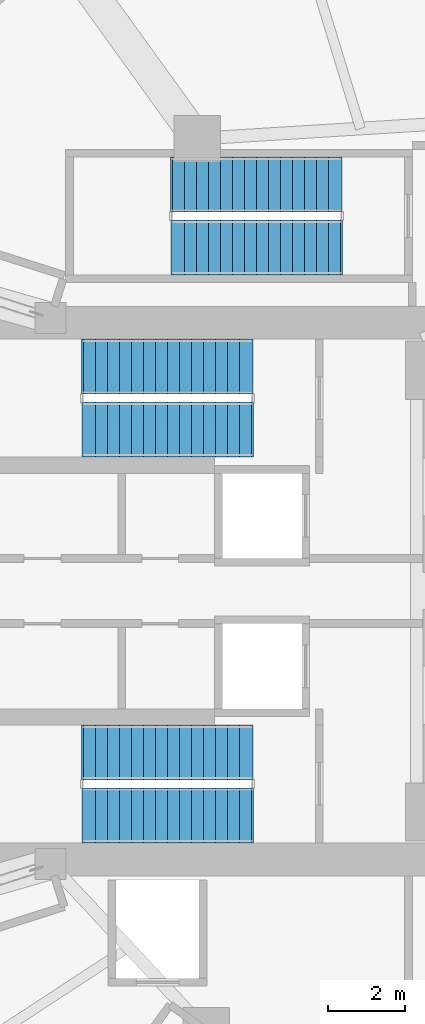
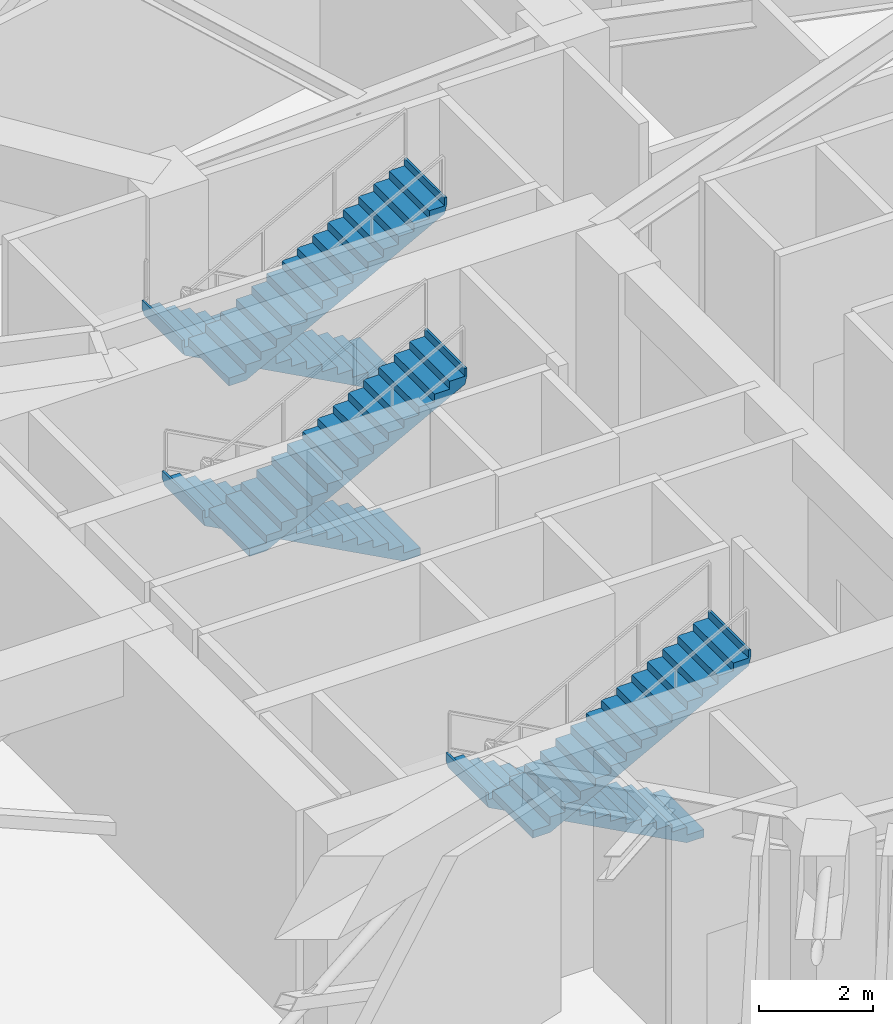
# One storey, part 10 of 12: 6 stair flights, 3 elements without a shape of their own.
"""IFC4 building model written with IfcOpenShell, lengths in metres."""

from ifc_helpers import new_model, si_unit, direction, frame, origin, place, context, subcontext, project, spatial, polyline, outline, extrude, material, type_object, element, aggregate, save


model = new_model("IFC4")

# Units and contexts
model_context = context("Model", 3, precision=1e-05, world=origin(), true_north=direction((0.0, 1.0)))
body_context = subcontext(model_context, "Body", "Model", "MODEL_VIEW")
ifc_project = project(units=[si_unit("LENGTHUNIT", "METRE"), si_unit("AREAUNIT", "SQUARE_METRE"), si_unit("VOLUMEUNIT", "CUBIC_METRE"), si_unit("PLANEANGLEUNIT", "RADIAN"), si_unit("MASSUNIT", "GRAM", prefix="KILO")], contexts=[model_context])

# Site, building, storey
site_placement = place(None, origin())
site = spatial("IfcSite", under=ifc_project, at=site_placement, CompositionType="ELEMENT")
building_placement = place(site_placement, origin())
building = spatial("IfcBuilding", under=site, at=building_placement, Name="Kolvaren Gate Tower and Convention Centre", CompositionType="ELEMENT")
storey_placement = place(building_placement, frame((0.0, 0.0, 95.800048828125)))
storey = spatial("IfcBuildingStorey", under=building, at=storey_placement, Name="L23", CompositionType="ELEMENT", Elevation=95.800048828125)

# Stair, stair flights
ifc_material = material(Name="Concrete C50/60", Category="concrete")
stair_type = type_object("IfcStairType", Name="STR-STAIR-CORE", PredefinedType="HALF_TURN_STAIR", material=ifc_material)
stair_1_placement = place(storey_placement, origin())
stair_1 = element("IfcStair", 1, at=stair_1_placement, inside=storey, type_object=stair_type, Name="L23 Tower North Exit Stair ST-T1", PredefinedType="HALF_TURN_STAIR")
stair_flight_type = type_object("IfcStairFlightType", Name="STR-SFL-1420", PredefinedType="STRAIGHT", material=ifc_material)
stair_flight_1_placement = place(storey_placement, frame((23.10009765625, 32.7900390625, 0.0), z_axis=(0.0, 0.0, 1.0), x_axis=(-1.0, 0.0, 0.0)))
stair_flight_1 = element("IfcStairFlight", 2, at=stair_flight_1_placement, type_object=stair_flight_type, Name="ST-T1 flight 1", NumberOfRisers=15, NumberOfTreads=14, PredefinedType="STRAIGHT", RiserHeight=0.166666667, TreadLength=0.31, context=body_context, shape_type="SweptSolid", body=[
    extrude(outline(polyline([(-0.034912109375, 0.0), (-0.034912109375, 0.166748046875), (0.31005859375, 0.166748046875), (0.31005859375, 0.333251953125), (0.6201171875, 0.333251953125), (0.6201171875, 0.5), (0.929931640625, 0.5), (0.929931640625, 0.666748046875), (1.239990234375, 0.666748046875), (1.239990234375, 0.833251953125), (1.550048828125, 0.833251953125), (1.550048828125, 1.0), (1.860107421875, 1.0), (1.860107421875, 1.166748046875), (2.169921875, 1.166748046875), (2.169921875, 1.333251953125), (2.47998046875, 1.333251953125), (2.47998046875, 1.5), (2.7900390625, 1.5), (2.7900390625, 1.666748046875), (3.10009765625, 1.666748046875), (3.10009765625, 1.833251953125), (3.409912109375, 1.833251953125), (3.409912109375, 2.0), (3.719970703125, 2.0), (3.719970703125, 2.166748046875), (4.030029296875, 2.166748046875), (4.030029296875, 2.333251953125), (4.340087890625, 2.333251953125), (4.340087890625, 2.5), (4.385009765625, 2.5), (4.385009765625, 2.340087890625), (4.340087890625, 2.1630859375), (0.316650390625, 0.0), (-0.034912109375, 0.0)])), frame((0.0, 0.7099609375, 0.0), z_axis=(0.0, -1.0, 0.0), x_axis=(1.0, 0.0, 0.0)), (0.0, 0.0, 1.0), 1.419921875),
])
stair_flight_2_placement = place(storey_placement, frame((18.760009765625, 31.169921875, 2.5), z_axis=(0.0, 0.0, 1.0), x_axis=(1.0, 0.0, 0.0)))
stair_flight_2 = element("IfcStairFlight", 3, at=stair_flight_2_placement, type_object=stair_flight_type, Name="ST-T1 flight 2", NumberOfRisers=15, NumberOfTreads=14, PredefinedType="STRAIGHT", RiserHeight=0.166666667, TreadLength=0.31, context=body_context, shape_type="SweptSolid", body=[
    extrude(outline(polyline([(-0.034912109375, 0.0), (-0.034912109375, 0.166748046875), (0.31005859375, 0.166748046875), (0.31005859375, 0.333251953125), (0.6201171875, 0.333251953125), (0.6201171875, 0.5), (0.929931640625, 0.5), (0.929931640625, 0.666748046875), (1.239990234375, 0.666748046875), (1.239990234375, 0.833251953125), (1.550048828125, 0.833251953125), (1.550048828125, 1.0), (1.860107421875, 1.0), (1.860107421875, 1.166748046875), (2.169921875, 1.166748046875), (2.169921875, 1.333251953125), (2.47998046875, 1.333251953125), (2.47998046875, 1.5), (2.7900390625, 1.5), (2.7900390625, 1.666748046875), (3.10009765625, 1.666748046875), (3.10009765625, 1.833251953125), (3.409912109375, 1.833251953125), (3.409912109375, 2.0), (3.719970703125, 2.0), (3.719970703125, 2.166748046875), (4.030029296875, 2.166748046875), (4.030029296875, 2.333251953125), (4.340087890625, 2.333251953125), (4.340087890625, 2.5), (4.385009765625, 2.5), (4.385009765625, 2.340087890625), (4.340087890625, 2.1630859375), (0.316650390625, 0.0), (-0.034912109375, 0.0)])), frame((0.0, 0.7099609375, 0.0), z_axis=(0.0, -1.0, 0.0), x_axis=(1.0, 0.0, 0.0)), (0.0, 0.0, 1.0), 1.419921875),
])
aggregate(stair_1, [stair_flight_1, stair_flight_2])

stair_2_placement = place(storey_placement, origin())
stair_2 = element("IfcStair", 4, at=stair_2_placement, inside=storey, type_object=stair_type, Name="L23 Tower South Exit Stair ST-T2", PredefinedType="HALF_TURN_STAIR")
stair_flight_3_placement = place(storey_placement, frame((23.10009765625, 22.830078125, 0.0), z_axis=(0.0, 0.0, 1.0), x_axis=(-1.0, 0.0, 0.0)))
stair_flight_3 = element("IfcStairFlight", 5, at=stair_flight_3_placement, type_object=stair_flight_type, Name="ST-T2 flight 1", NumberOfRisers=15, NumberOfTreads=14, PredefinedType="STRAIGHT", RiserHeight=0.166666667, TreadLength=0.31, context=body_context, shape_type="SweptSolid", body=[
    extrude(outline(polyline([(-0.034912109375, 0.0), (-0.034912109375, 0.166748046875), (0.31005859375, 0.166748046875), (0.31005859375, 0.333251953125), (0.6201171875, 0.333251953125), (0.6201171875, 0.5), (0.929931640625, 0.5), (0.929931640625, 0.666748046875), (1.239990234375, 0.666748046875), (1.239990234375, 0.833251953125), (1.550048828125, 0.833251953125), (1.550048828125, 1.0), (1.860107421875, 1.0), (1.860107421875, 1.166748046875), (2.169921875, 1.166748046875), (2.169921875, 1.333251953125), (2.47998046875, 1.333251953125), (2.47998046875, 1.5), (2.7900390625, 1.5), (2.7900390625, 1.666748046875), (3.10009765625, 1.666748046875), (3.10009765625, 1.833251953125), (3.409912109375, 1.833251953125), (3.409912109375, 2.0), (3.719970703125, 2.0), (3.719970703125, 2.166748046875), (4.030029296875, 2.166748046875), (4.030029296875, 2.333251953125), (4.340087890625, 2.333251953125), (4.340087890625, 2.5), (4.385009765625, 2.5), (4.385009765625, 2.340087890625), (4.340087890625, 2.1630859375), (0.316650390625, 0.0), (-0.034912109375, 0.0)])), frame((0.0, 0.7099609375, 0.0), z_axis=(0.0, -1.0, 0.0), x_axis=(1.0, 0.0, 0.0)), (0.0, 0.0, 1.0), 1.419921875),
])
stair_flight_4_placement = place(storey_placement, frame((18.760009765625, 21.2099609375, 2.5), z_axis=(0.0, 0.0, 1.0), x_axis=(1.0, 0.0, 0.0)))
stair_flight_4 = element("IfcStairFlight", 6, at=stair_flight_4_placement, type_object=stair_flight_type, Name="ST-T2 flight 2", NumberOfRisers=15, NumberOfTreads=14, PredefinedType="STRAIGHT", RiserHeight=0.166666667, TreadLength=0.31, context=body_context, shape_type="SweptSolid", body=[
    extrude(outline(polyline([(-0.034912109375, 0.0), (-0.034912109375, 0.166748046875), (0.31005859375, 0.166748046875), (0.31005859375, 0.333251953125), (0.6201171875, 0.333251953125), (0.6201171875, 0.5), (0.929931640625, 0.5), (0.929931640625, 0.666748046875), (1.239990234375, 0.666748046875), (1.239990234375, 0.833251953125), (1.550048828125, 0.833251953125), (1.550048828125, 1.0), (1.860107421875, 1.0), (1.860107421875, 1.166748046875), (2.169921875, 1.166748046875), (2.169921875, 1.333251953125), (2.47998046875, 1.333251953125), (2.47998046875, 1.5), (2.7900390625, 1.5), (2.7900390625, 1.666748046875), (3.10009765625, 1.666748046875), (3.10009765625, 1.833251953125), (3.409912109375, 1.833251953125), (3.409912109375, 2.0), (3.719970703125, 2.0), (3.719970703125, 2.166748046875), (4.030029296875, 2.166748046875), (4.030029296875, 2.333251953125), (4.340087890625, 2.333251953125), (4.340087890625, 2.5), (4.385009765625, 2.5), (4.385009765625, 2.340087890625), (4.340087890625, 2.1630859375), (0.316650390625, 0.0), (-0.034912109375, 0.0)])), frame((0.0, 0.7099609375, 0.0), z_axis=(0.0, -1.0, 0.0), x_axis=(1.0, 0.0, 0.0)), (0.0, 0.0, 1.0), 1.419921875),
])
aggregate(stair_2, [stair_flight_3, stair_flight_4])

stair_3_placement = place(storey_placement, origin())
stair_3 = element("IfcStair", 7, at=stair_3_placement, inside=storey, type_object=stair_type, Name="L23 Tower Mid-Zone Exit Stair ST-T3", PredefinedType="HALF_TURN_STAIR")
stair_flight_5_placement = place(storey_placement, frame((25.39990234375, 37.489990234375, 0.0), z_axis=(0.0, 0.0, 1.0), x_axis=(-1.0, 0.0, 0.0)))
stair_flight_5 = element("IfcStairFlight", 8, at=stair_flight_5_placement, type_object=stair_flight_type, Name="ST-T3 flight 1", NumberOfRisers=15, NumberOfTreads=14, PredefinedType="STRAIGHT", RiserHeight=0.166666667, TreadLength=0.31, context=body_context, shape_type="SweptSolid", body=[
    extrude(outline(polyline([(-0.034912109375, 0.0), (-0.034912109375, 0.166748046875), (0.31005859375, 0.166748046875), (0.31005859375, 0.333251953125), (0.6201171875, 0.333251953125), (0.6201171875, 0.5), (0.929931640625, 0.5), (0.929931640625, 0.666748046875), (1.239990234375, 0.666748046875), (1.239990234375, 0.833251953125), (1.550048828125, 0.833251953125), (1.550048828125, 1.0), (1.860107421875, 1.0), (1.860107421875, 1.166748046875), (2.169921875, 1.166748046875), (2.169921875, 1.333251953125), (2.47998046875, 1.333251953125), (2.47998046875, 1.5), (2.7900390625, 1.5), (2.7900390625, 1.666748046875), (3.10009765625, 1.666748046875), (3.10009765625, 1.833251953125), (3.409912109375, 1.833251953125), (3.409912109375, 2.0), (3.719970703125, 2.0), (3.719970703125, 2.166748046875), (4.030029296875, 2.166748046875), (4.030029296875, 2.333251953125), (4.340087890625, 2.333251953125), (4.340087890625, 2.5), (4.385009765625, 2.5), (4.385009765625, 2.340087890625), (4.340087890625, 2.1630859375), (0.316650390625, 0.0), (-0.034912109375, 0.0)])), frame((0.0, 0.7099609375, 0.0), z_axis=(0.0, -1.0, 0.0), x_axis=(1.0, 0.0, 0.0)), (0.0, 0.0, 1.0), 1.419921875),
])
stair_flight_6_placement = place(storey_placement, frame((21.06005859375, 35.8701171875, 2.5), z_axis=(0.0, 0.0, 1.0), x_axis=(1.0, 0.0, 0.0)))
stair_flight_6 = element("IfcStairFlight", 9, at=stair_flight_6_placement, type_object=stair_flight_type, Name="ST-T3 flight 2", NumberOfRisers=15, NumberOfTreads=14, PredefinedType="STRAIGHT", RiserHeight=0.166666667, TreadLength=0.31, context=body_context, shape_type="SweptSolid", body=[
    extrude(outline(polyline([(-0.034912109375, 0.0), (-0.034912109375, 0.166748046875), (0.31005859375, 0.166748046875), (0.31005859375, 0.333251953125), (0.6201171875, 0.333251953125), (0.6201171875, 0.5), (0.929931640625, 0.5), (0.929931640625, 0.666748046875), (1.239990234375, 0.666748046875), (1.239990234375, 0.833251953125), (1.550048828125, 0.833251953125), (1.550048828125, 1.0), (1.860107421875, 1.0), (1.860107421875, 1.166748046875), (2.169921875, 1.166748046875), (2.169921875, 1.333251953125), (2.47998046875, 1.333251953125), (2.47998046875, 1.5), (2.7900390625, 1.5), (2.7900390625, 1.666748046875), (3.10009765625, 1.666748046875), (3.10009765625, 1.833251953125), (3.409912109375, 1.833251953125), (3.409912109375, 2.0), (3.719970703125, 2.0), (3.719970703125, 2.166748046875), (4.030029296875, 2.166748046875), (4.030029296875, 2.333251953125), (4.340087890625, 2.333251953125), (4.340087890625, 2.5), (4.385009765625, 2.5), (4.385009765625, 2.340087890625), (4.340087890625, 2.1630859375), (0.316650390625, 0.0), (-0.034912109375, 0.0)])), frame((0.0, 0.7099609375, 0.0), z_axis=(0.0, -1.0, 0.0), x_axis=(1.0, 0.0, 0.0)), (0.0, 0.0, 1.0), 1.419921875),
])
aggregate(stair_3, [stair_flight_5, stair_flight_6])

save(model, "model.ifc")
